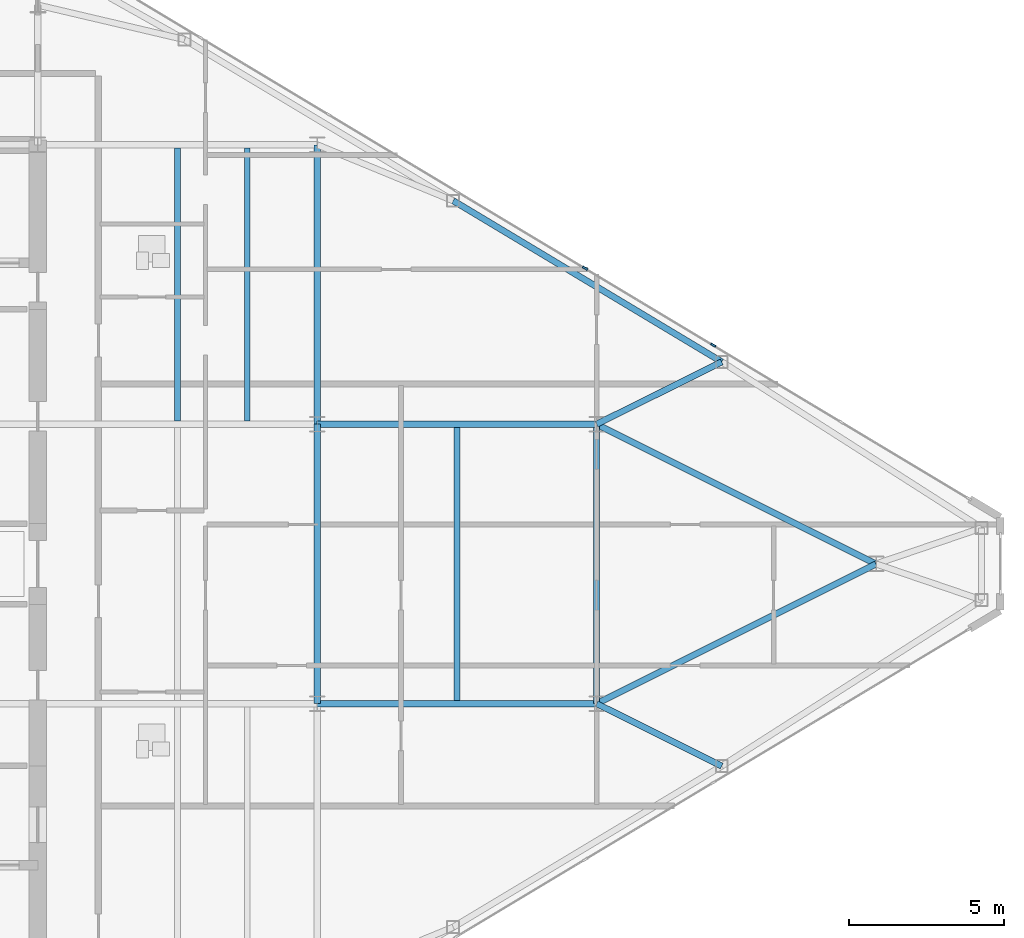
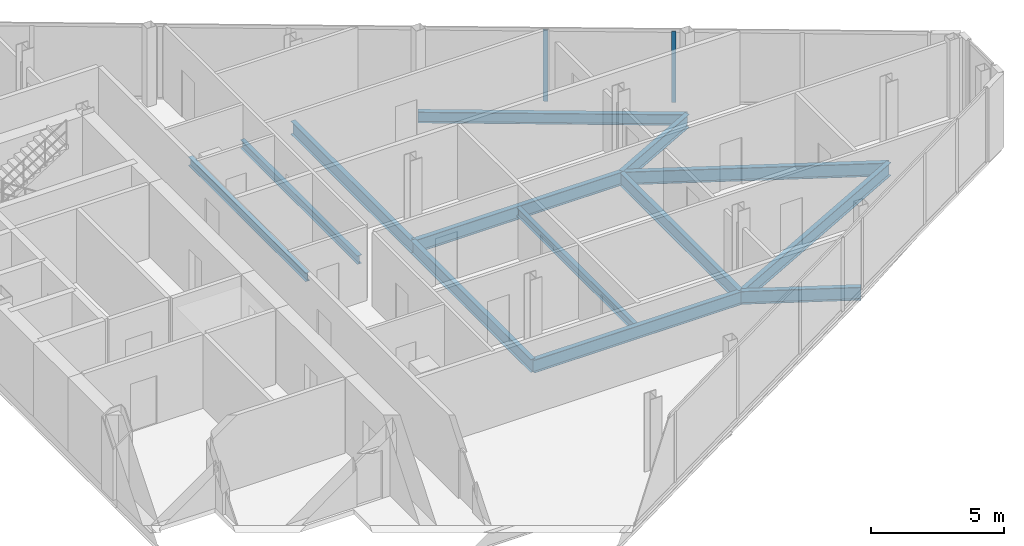
# One storey, part 14 of 26: 13 beams, 2 members, 1 element without a shape of its own.
"""IFC4 building model written with IfcOpenShell, lengths in metres."""

import ifcopenshell
import ifcopenshell.guid

model = None  # the IFC model being written
_history = None  # IfcOwnerHistory: only IFC2X3 demands one
_inside = {}  # id of a spatial element -> (the spatial element, [elements in it])
_under = {}  # id of a project, library or spatial element -> (it, [spatial elements below it])
_declared = {}  # id of a project -> (the project, [libraries it declares])
_typed = {}  # id of a type object -> (the type object, [elements of that type])
_made_of = {}  # id of a material, layer set ... -> (it, [elements and type objects made of it])


def new_model(schema):
    """Start an empty IFC model of exactly this schema.

    Asked for "IFC4X3", IfcOpenShell would pick the latest addendum, in which some entities
    have other attributes; the version numbers below select the first issue.
    IFC2X3 requires an IfcOwnerHistory on every rooted entity: one is made here for all.
    """
    global model, _history
    if schema == "IFC4X3":
        model = ifcopenshell.file(schema_version=(4, 3, 0, 0))
    else:
        model = ifcopenshell.file(schema=schema)
    _inside.clear()
    _under.clear()
    _declared.clear()
    _typed.clear()
    _made_of.clear()
    _history = None
    if model.schema == "IFC2X3":
        org = make("IfcOrganization", Name="unknown")
        user = make(
            "IfcPersonAndOrganization",
            ThePerson=make("IfcPerson", FamilyName="unknown"),
            TheOrganization=org,
        )
        app = make(
            "IfcApplication",
            ApplicationDeveloper=org,
            Version="unknown",
            ApplicationFullName="unknown",
            ApplicationIdentifier="unknown",
        )
        _history = make(
            "IfcOwnerHistory",
            OwningUser=user,
            OwningApplication=app,
            ChangeAction="ADDED",
            CreationDate=0,
        )
    return model


def make(cls, **values):
    """One entity of the class cls with the attributes given. An attribute that is None is left unset."""
    return model.create_entity(
        cls, **{name: value for name, value in values.items() if value is not None}
    )


def rooted(cls, **values):
    """An entity with a GlobalId (a new one), such as an element, a storey or a relation."""
    return make(cls, GlobalId=ifcopenshell.guid.new(), OwnerHistory=_history, **values)


def si_unit(unit_type, name, prefix=None):
    """IfcSIUnit, for example si_unit("LENGTHUNIT", "METRE", prefix="MILLI")."""
    return make("IfcSIUnit", UnitType=unit_type, Prefix=prefix, Name=name)


def assignment(units):
    """IfcUnitAssignment: the units of a project."""
    return None if units is None else make("IfcUnitAssignment", Units=units)


def point(xyz):
    """IfcCartesianPoint."""
    return None if xyz is None else make("IfcCartesianPoint", Coordinates=xyz)


def direction(xyz):
    """IfcDirection."""
    return None if xyz is None else make("IfcDirection", DirectionRatios=xyz)


def frame(location, z_axis=None, x_axis=None):
    """IfcAxis2Placement3D, a coordinate frame: its origin and axes. An axis left out is left unset."""
    return make(
        "IfcAxis2Placement3D",
        Location=point(location),
        Axis=direction(z_axis),
        RefDirection=direction(x_axis),
    )


def frame_2d(location, x_axis=None):
    """IfcAxis2Placement2D, a coordinate frame in the plane: its origin and x axis."""
    return make(
        "IfcAxis2Placement2D", Location=point(location), RefDirection=direction(x_axis)
    )


def origin():
    """The frame at (0, 0, 0) with its axes left unset."""
    return frame((0.0, 0.0, 0.0))


def origin_2d():
    """The frame at (0, 0) in the plane with its x axis left unset."""
    return frame_2d((0.0, 0.0))


def place(relative_to, where):
    """IfcLocalPlacement: puts the frame where relative to a parent placement (None: the world)."""
    return make(
        "IfcLocalPlacement", PlacementRelTo=relative_to, RelativePlacement=where
    )


def context(
    kind, dimensions, precision=None, world=None, true_north=None, identifier=None
):
    """IfcGeometricRepresentationContext, for example the 3D "Model" context."""
    return make(
        "IfcGeometricRepresentationContext",
        ContextIdentifier=identifier,
        ContextType=kind,
        CoordinateSpaceDimension=dimensions,
        Precision=precision,
        WorldCoordinateSystem=world,
        TrueNorth=true_north,
    )


def subcontext(parent, identifier, kind, view, scale=None):
    """IfcGeometricRepresentationSubContext, for example "Body" below "Model"."""
    return make(
        "IfcGeometricRepresentationSubContext",
        ContextIdentifier=identifier,
        ContextType=kind,
        ParentContext=parent,
        TargetScale=scale,
        TargetView=view,
    )


def project(units=None, contexts=None):
    """IfcProject with its units and contexts."""
    return rooted(
        "IfcProject",
        Name="project",
        RepresentationContexts=contexts,
        UnitsInContext=assignment(units),
    )


def spatial(cls, under=None, at=None, **own):
    """A site, building, storey or space (cls), placed at a placement, below another one or the project."""
    s = rooted(cls, ObjectPlacement=at, **own)
    if under is not None:
        _under.setdefault(under.id(), (under, []))[1].append(s)
    return s


def profile(cls, at=None, kind="AREA", **sizes):
    """A parametric profile (cls). Its sizes go by their IFC names, for example OverallWidth=200.0."""
    return make(cls, ProfileType=kind, Position=at, **sizes)


def rectangle(**sizes):
    """IfcRectangleProfileDef."""
    return profile("IfcRectangleProfileDef", **sizes)


def i_section(**sizes):
    """IfcIShapeProfileDef."""
    return profile("IfcIShapeProfileDef", **sizes)


def extrude(swept, where, along, depth):
    """IfcExtrudedAreaSolid: the profile swept, set in the frame where, extruded along a direction by depth."""
    return make(
        "IfcExtrudedAreaSolid",
        SweptArea=swept,
        Position=where,
        ExtrudedDirection=direction(along),
        Depth=depth,
    )


def shape(context_of_items, identifier, shape_type, items):
    """IfcShapeRepresentation: the items that make up one representation, for example the "Body"."""
    return make(
        "IfcShapeRepresentation",
        ContextOfItems=context_of_items,
        RepresentationIdentifier=identifier,
        RepresentationType=shape_type,
        Items=items,
    )


def source(mapping_origin, context_of_items, identifier, shape_type, items):
    """IfcRepresentationMap: a shape defined once, which mapped items show again and again."""
    return make(
        "IfcRepresentationMap",
        MappingOrigin=mapping_origin,
        MappedRepresentation=shape(context_of_items, identifier, shape_type, items),
    )


def transform(
    local_origin,
    x_axis=None,
    y_axis=None,
    z_axis=None,
    scale=None,
    scale2=None,
    scale3=None,
    uniform=True,
):
    """IfcCartesianTransformationOperator3D, or its non-uniform kind. x_axis, y_axis, z_axis: its Axis1, 2, 3."""
    if uniform:
        return make(
            "IfcCartesianTransformationOperator3D",
            Axis1=direction(x_axis),
            Axis2=direction(y_axis),
            LocalOrigin=point(local_origin),
            Scale=scale,
            Axis3=direction(z_axis),
        )
    return make(
        "IfcCartesianTransformationOperator3DnonUniform",
        Axis1=direction(x_axis),
        Axis2=direction(y_axis),
        LocalOrigin=point(local_origin),
        Scale=scale,
        Axis3=direction(z_axis),
        Scale2=scale2,
        Scale3=scale3,
    )


def mapped(mapping_source, mapping_target):
    """IfcMappedItem: shows the shape of a source again, moved by a transform."""
    return make(
        "IfcMappedItem", MappingSource=mapping_source, MappingTarget=mapping_target
    )


def material(Name=None, Category=None):
    """IfcMaterial."""
    return make("IfcMaterial", Name=Name, Category=Category)


def layer(
    of_material, thickness, ventilated=None, Name=None, Category=None, Priority=None
):
    """IfcMaterialLayer: one layer of a wall or slab, of a material (None: an air gap)."""
    return make(
        "IfcMaterialLayer",
        Material=of_material,
        LayerThickness=thickness,
        IsVentilated=ventilated,
        Name=Name,
        Category=Category,
        Priority=Priority,
    )


def layer_set(layers, Name=None):
    """IfcMaterialLayerSet."""
    return make("IfcMaterialLayerSet", MaterialLayers=layers, LayerSetName=Name)


def material_profile(
    of_material, cross_section, Name=None, Category=None, Priority=None
):
    """IfcMaterialProfile: a cross section and its material."""
    return make(
        "IfcMaterialProfile",
        Name=Name,
        Material=of_material,
        Profile=cross_section,
        Priority=Priority,
        Category=Category,
    )


def profile_set(profiles, Name=None, composite=None):
    """IfcMaterialProfileSet."""
    return make(
        "IfcMaterialProfileSet",
        Name=Name,
        MaterialProfiles=profiles,
        CompositeProfile=composite,
    )


def made_of(thing, what):
    """Note that an element or type object is made of a material, layer set ...; save() writes the relation."""
    if what is not None:
        _made_of.setdefault(what.id(), (what, []))[1].append(thing)
    return thing


def type_object(cls, material=None, **own):
    """A type object (cls), such as IfcWallType, which elements share."""
    return made_of(rooted(cls, **own), material)


def type_shapes(of_type, sources):
    """Give a type object the sources (RepresentationMaps) that its elements show as mapped items."""
    of_type.RepresentationMaps = sources


def element(
    cls,
    number,
    at=None,
    inside=None,
    cuts=None,
    type_object=None,
    material=None,
    context=None,
    identifier="Body",
    shape_type=None,
    held_by="IfcProductDefinitionShape",
    body=None,
    shapes=None,
    **own,
):
    """One element of the class cls, such as IfcWall. Its Tag is "e" and its number.

    at: its placement. inside: the storey or other place that contains it. cuts: it is an
    opening in that element (IfcRelVoidsElement). A single representation is given by context,
    identifier, shape_type and body (its items); several are given by shapes. held_by: the class
    of the entity that holds the representations. save() writes the other relations.
    """
    e = rooted(cls, Tag="e%d" % number, ObjectPlacement=at, **own)
    if body is not None:
        shapes = [shape(context, identifier, shape_type, body)]
    if shapes is not None:
        e.Representation = make(held_by, Representations=shapes)
    if inside is not None:
        _inside.setdefault(inside.id(), (inside, []))[1].append(e)
    if cuts is not None:
        rooted(
            "IfcRelVoidsElement", RelatingBuildingElement=cuts, RelatedOpeningElement=e
        )
    if type_object is not None:
        _typed.setdefault(type_object.id(), (type_object, []))[1].append(e)
    return made_of(e, material)


def aggregate(whole, parts):
    """IfcRelAggregates: a whole, such as a stair, and the parts it consists of."""
    return rooted("IfcRelAggregates", RelatingObject=whole, RelatedObjects=parts)


def save(model, path):
    """Write the relations noted so far, then the file.

    IfcRelAggregates (storeys below a building ...), IfcRelContainedInSpatialStructure (elements
    in a storey), IfcRelDefinesByType, IfcRelAssociatesMaterial and IfcRelDeclares: one each for
    every whole, place, type object, material and project.
    """
    for whole, parts in _under.values():
        aggregate(whole, parts)
    for where, things in _inside.values():
        rooted(
            "IfcRelContainedInSpatialStructure",
            RelatedElements=things,
            RelatingStructure=where,
        )
    for kind, things in _typed.values():
        rooted("IfcRelDefinesByType", RelatedObjects=things, RelatingType=kind)
    for what, things in _made_of.values():
        rooted("IfcRelAssociatesMaterial", RelatedObjects=things, RelatingMaterial=what)
    for by, libraries in _declared.values():
        rooted("IfcRelDeclares", RelatingContext=by, RelatedDefinitions=libraries)
    model.write(path)


model = new_model("IFC4")

# Units and contexts
model_context = context("Model", 3, precision=1e-05, world=origin(), true_north=direction((0.0, 1.0)))
body_context = subcontext(model_context, "Body", "Model", "MODEL_VIEW")
ifc_project = project(units=[si_unit("LENGTHUNIT", "METRE"), si_unit("AREAUNIT", "SQUARE_METRE"), si_unit("VOLUMEUNIT", "CUBIC_METRE"), si_unit("PLANEANGLEUNIT", "RADIAN"), si_unit("MASSUNIT", "GRAM", prefix="KILO")], contexts=[model_context])

# Site, building, storey
site_placement = place(None, origin())
site = spatial("IfcSite", under=ifc_project, at=site_placement, CompositionType="ELEMENT")
building_placement = place(site_placement, origin())
building = spatial("IfcBuilding", under=site, at=building_placement, Name="Seokmaru Belvedere", CompositionType="ELEMENT")
storey_placement = place(building_placement, frame((0.0, 0.0, 199.5)))
storey = spatial("IfcBuildingStorey", under=building, at=storey_placement, Name="L53", CompositionType="ELEMENT", Elevation=199.5)

# Beams
ifc_material_1 = material(Name="Steel SM355 (355 MPa)", Category="steel")
ifc_material_profile_1 = material_profile(ifc_material_1, i_section(OverallWidth=0.199951171875, OverallDepth=0.60009765625, WebThickness=0.010986328125, FlangeThickness=0.01708984375, at=origin_2d()), Name="H-600x200x11x17")
ifc_profile_set_1 = profile_set([ifc_material_profile_1], Name="Steel SM355 (355 MPa)")
beam_type_1 = type_object("IfcBeamType", Name="Primary Floor Girder H-600", PredefinedType="BEAM", material=ifc_profile_set_1)
shared_shape_1 = source(origin(), body_context, "Body", "SweptSolid", [
    extrude(i_section(OverallWidth=0.199951171875, OverallDepth=0.60009765625, WebThickness=0.010986328125, FlangeThickness=0.01708984375, at=origin_2d()), origin(), (0.0, 0.0, 1.0), 9.0),
])
for number, where, z_axis, x_axis, name in (
    (1, (45.5, -4.5, -0.52001953125), (0.0, 1.0, 0.0), (-1.0, 0.0, 0.0), "L53 E Interior Grid Girder 2"),
    (2, (45.5, 4.5, -0.52001953125), (0.0, 1.0, 0.0), (-1.0, 0.0, 0.0), "L53 E Interior Grid Girder 3"),
    (3, (45.5, -4.5, -0.52001953125), (1.0, 0.0, 0.0), (0.0, 1.0, 0.0), "L53 E Outer Wing Girder 1"),
    (4, (45.5, 4.5, -0.52001953125), (1.0, 0.0, 0.0), (0.0, 1.0, 0.0), "L53 E Outer Wing Girder 2"),
    (5, (54.5, -4.5, -0.52001953125), (0.0, 1.0, 0.0), (-1.0, 0.0, 0.0), "L53 E Apex Frame Girder"),
):
    element("IfcBeam", number, at=place(storey_placement, frame(where, z_axis=z_axis, x_axis=x_axis)), inside=storey, type_object=beam_type_1, Name=name, PredefinedType="BEAM", context=body_context, shape_type="MappedRepresentation", body=[
        mapped(shared_shape_1, transform((0.0, 0.0, 0.0), scale=1.0)),
    ])
shared_shape_2 = source(origin(), body_context, "Body", "SweptSolid", [
    extrude(i_section(OverallWidth=0.199951171875, OverallDepth=0.60009765625, WebThickness=0.010986328125, FlangeThickness=0.01708984375, at=origin_2d()), origin(), (0.0, 0.0, 1.0), 10.062255859375),
])
for number, where, z_axis, x_axis, name in (
    (6, (54.5, -4.5, -0.52001953125), (0.894427191, 0.4472135955, 0.0), (-0.4472135955, 0.894427191, 0.0), "L53 E Apex Converging Girder 1"),
    (7, (54.5, 4.5, -0.52001953125), (0.894427191, -0.4472135955, 0.0), (0.4472135955, 0.894427191, 0.0), "L53 E Apex Converging Girder 2"),
):
    element("IfcBeam", number, at=place(storey_placement, frame(where, z_axis=z_axis, x_axis=x_axis)), inside=storey, type_object=beam_type_1, Name=name, PredefinedType="BEAM", context=body_context, shape_type="MappedRepresentation", body=[
        mapped(shared_shape_2, transform((0.0, 0.0, 0.0), scale=1.0)),
    ])
ifc_material_profile_2 = material_profile(ifc_material_1, i_section(OverallWidth=0.18505859375, OverallDepth=0.389892578125, WebThickness=0.008056640625, FlangeThickness=0.011962890625, at=origin_2d()), Name="H-390x185x8x12")
ifc_profile_set_2 = profile_set([ifc_material_profile_2], Name="Steel SM355 (355 MPa)")
beam_type_2 = type_object("IfcBeamType", Name="Secondary Floor Joist H-350", PredefinedType="JOIST", material=ifc_profile_set_2)
shared_shape_3 = source(origin(), body_context, "Body", "SweptSolid", [
    extrude(i_section(OverallWidth=0.18505859375, OverallDepth=0.389892578125, WebThickness=0.008056640625, FlangeThickness=0.011962890625, at=origin_2d()), origin(), (0.0, 0.0, 1.0), 8.7900390625),
])
type_shapes(beam_type_2, [shared_shape_3])
for number, where, z_axis, x_axis, name in (
    (8, (43.25, 4.60498046875, -0.4150390625), (0.0, 1.0, 0.0), (-1.0, 0.0, 0.0), "L53 E Wing Inner Secondary Joist 2"),
    (9, (41.0, 4.60498046875, -0.4150390625), (0.0, 1.0, 0.0), (-1.0, 0.0, 0.0), "L53 E Secondary Floor Joist 3"),
    (10, (50.0, -4.39501953125, -0.4150390625), (0.0, 1.0, 0.0), (-1.0, 0.0, 0.0), "L53 E Outer Bay Secondary Joist"),
):
    element("IfcBeam", number, at=place(storey_placement, frame(where, z_axis=z_axis, x_axis=x_axis)), inside=storey, type_object=beam_type_2, Name=name, PredefinedType="JOIST", context=body_context, shape_type="MappedRepresentation", body=[
        mapped(shared_shape_3, transform((0.0, 0.0, 0.0), scale=1.0)),
    ])
ifc_material_profile_3 = material_profile(ifc_material_1, i_section(OverallWidth=0.199951171875, OverallDepth=0.5, WebThickness=0.010009765625, FlangeThickness=0.01611328125, at=origin_2d()), Name="H-500x200x10x16")
ifc_profile_set_3 = profile_set([ifc_material_profile_3], Name="Steel SM355 (355 MPa)")
beam_type_3 = type_object("IfcBeamType", Name="Perimeter Spandrel Beam H-500", PredefinedType="SPANDREL", material=ifc_profile_set_3)
shared_shape_4 = source(origin(), body_context, "Body", "SweptSolid", [
    extrude(i_section(OverallWidth=0.199951171875, OverallDepth=0.5, WebThickness=0.010009765625, FlangeThickness=0.01611328125, at=origin_2d()), origin(), (0.0, 0.0, 1.0), 10.087646484375),
])
type_shapes(beam_type_3, [shared_shape_4])
beam_placement = place(storey_placement, frame((49.8798828125, 11.698974609375, -0.469970703125), z_axis=(0.857488654804, -0.514502873542, 0.0), x_axis=(0.514502873542, 0.857488654804, 0.0)))
element("IfcBeam", 11, at=beam_placement, inside=storey, type_object=beam_type_3, Name="L53 E Faceted Flank Spandrel N-3", PredefinedType="SPANDREL", context=body_context, shape_type="MappedRepresentation", body=[
    mapped(shared_shape_4, transform((0.0, 0.0, 0.0), scale=1.0)),
])
shared_shape_5 = source(origin(), body_context, "Body", "SweptSolid", [
    extrude(i_section(OverallWidth=0.199951171875, OverallDepth=0.60009765625, WebThickness=0.010986328125, FlangeThickness=0.01708984375, at=origin_2d()), origin(), (0.0, 0.0, 1.0), 4.5029296875),
])
type_shapes(beam_type_1, [shared_shape_1, shared_shape_2, shared_shape_5])
for number, where, z_axis, x_axis, name in (
    (12, (58.530029296875, -6.5087890625, -0.52001953125), (-0.894979532585, 0.446107202648, 0.0), (-0.446107202648, -0.894979532585, 0.0), "L53 E Flank Radial Floor Girder S-3"),
    (13, (58.530029296875, 6.5087890625, -0.52001953125), (-0.894979532585, -0.446107202648, 0.0), (0.446107202648, -0.894979532585, 0.0), "L53 E Flank Radial Floor Girder N-3"),
):
    element("IfcBeam", number, at=place(storey_placement, frame(where, z_axis=z_axis, x_axis=x_axis)), inside=storey, type_object=beam_type_1, Name=name, PredefinedType="BEAM", context=body_context, shape_type="MappedRepresentation", body=[
        mapped(shared_shape_5, transform((0.0, 0.0, 0.0), scale=1.0)),
    ])

# Curtain wall, members
ifc_material_2 = material(Name="Bronze Triple Insulating Glass", Category="glass")
ifc_layer = layer(ifc_material_2, 0.179931640625)
ifc_layer_set = layer_set([ifc_layer], Name="Bronze Triple Insulating Glass")
curtain_wall_type = type_object("IfcCurtainWallType", Name="High-Rise Wind-Corner Curtain Wall System CW-5", PredefinedType="NOTDEFINED", material=ifc_layer_set)
curtain_wall_placement = place(storey_placement, origin())
curtain_wall = element("IfcCurtainWall", 14, at=curtain_wall_placement, inside=storey, type_object=curtain_wall_type, Name="L53 Curtain Wall EF3", PredefinedType="NOTDEFINED")
ifc_material_3 = material(Name="Anodised Bronze Aluminium", Category="aluminium")
ifc_material_profile_4 = material_profile(ifc_material_3, rectangle(XDim=0.06494140625, YDim=0.179931640625, at=origin_2d()), Name="CW-M-65x180")
ifc_profile_set_4 = profile_set([ifc_material_profile_4], Name="Anodised Bronze Aluminium")
member_type = type_object("IfcMemberType", Name="Bronze Unitised Mullion 65x180", PredefinedType="MULLION", material=ifc_profile_set_4)
shared_shape_6 = source(origin(), body_context, "Body", "SweptSolid", [
    extrude(rectangle(XDim=0.06494140625, YDim=0.179931640625, at=origin_2d()), origin(), (0.0, 0.0, 1.0), 3.25),
])
type_shapes(member_type, [shared_shape_6])
member_1_placement = place(storey_placement, frame((58.257080078125, 7.0458984375, 0.06494140625), z_axis=(0.0, 0.0, 1.0), x_axis=(-0.514494909364, -0.85749343335, 0.0)))
member_1 = element("IfcMember", 15, at=member_1_placement, type_object=member_type, Name="CW:L53:EF3 Mullion 3", PredefinedType="MULLION", context=body_context, shape_type="MappedRepresentation", body=[
    mapped(shared_shape_6, transform((0.0, 0.0, 0.0), scale=1.0)),
])
member_2_placement = place(storey_placement, frame((54.12841796875, 9.52294921875, 0.06494140625), z_axis=(0.0, 0.0, 1.0), x_axis=(-0.514494909364, -0.85749343335, 0.0)))
member_2 = element("IfcMember", 16, at=member_2_placement, type_object=member_type, Name="CW:L53:EF3 Mullion 4", PredefinedType="MULLION", context=body_context, shape_type="MappedRepresentation", body=[
    mapped(shared_shape_6, transform((0.0, 0.0, 0.0), scale=1.0)),
])
aggregate(curtain_wall, [member_1, member_2])

save(model, "model.ifc")
